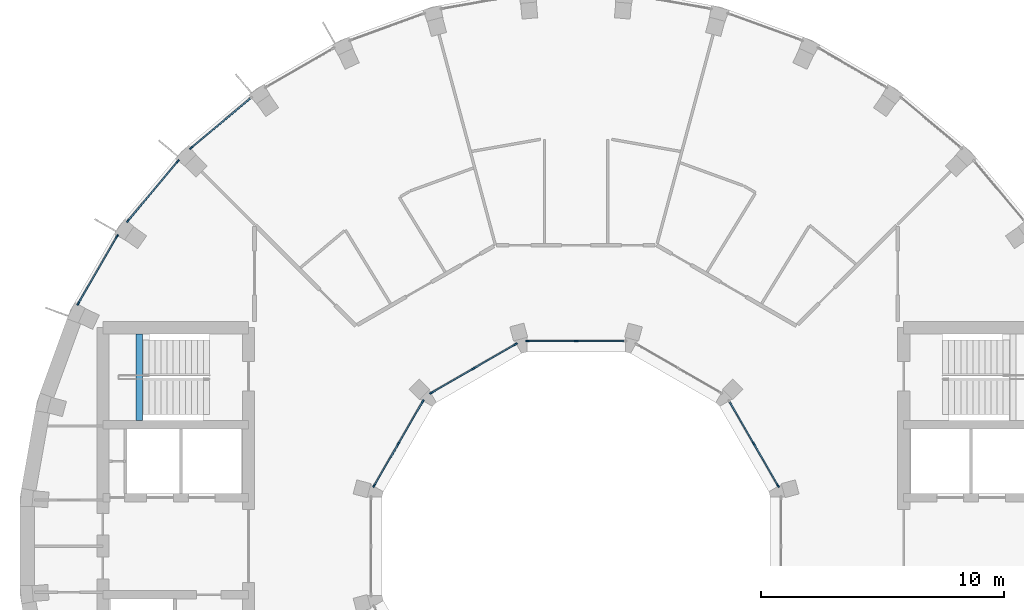
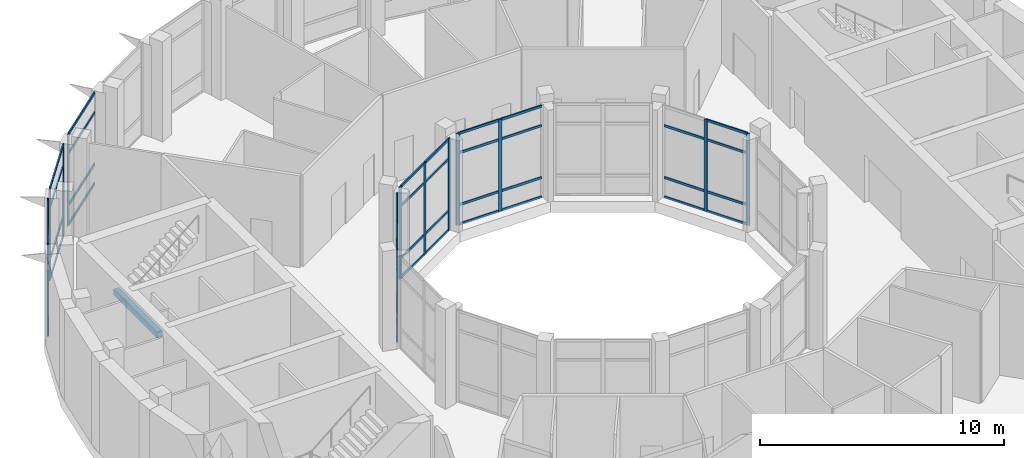
# One storey, part 7 of 19: 58 members, 1 beam, 7 elements without a shape of their own.
"""IFC4 building model written with IfcOpenShell, lengths in metres."""

from ifc_helpers import new_model, si_unit, direction, frame, origin, origin_2d, place, context, subcontext, project, spatial, rectangle, extrude, material, layer, layer_set, material_profile, profile_set, type_object, element, aggregate, save


model = new_model("IFC4")

# Units and contexts
model_context = context("Model", 3, precision=1e-05, world=origin(), true_north=direction((0.0, 1.0)))
body_context = subcontext(model_context, "Body", "Model", "MODEL_VIEW")
ifc_project = project(units=[si_unit("LENGTHUNIT", "METRE"), si_unit("AREAUNIT", "SQUARE_METRE"), si_unit("VOLUMEUNIT", "CUBIC_METRE"), si_unit("PLANEANGLEUNIT", "RADIAN"), si_unit("MASSUNIT", "GRAM", prefix="KILO")], contexts=[model_context])

# Site, building, storey
site_placement = place(None, origin())
site = spatial("IfcSite", under=ifc_project, at=site_placement, CompositionType="ELEMENT")
building_placement = place(site_placement, origin())
building = spatial("IfcBuilding", under=site, at=building_placement, Name="Saqina Gate Tower", CompositionType="ELEMENT")
storey_placement = place(building_placement, frame((0.0, 0.0, 224.699951171875)))
storey = spatial("IfcBuildingStorey", under=building, at=storey_placement, Name="L64", CompositionType="ELEMENT", Elevation=224.699951171875)

# Curtain wall, member
ifc_material_1 = material(Name="Aluminium glazing", Category="aluminium")
ifc_layer_1 = layer(ifc_material_1, 0.159912109375)
ifc_layer_set_1 = layer_set([ifc_layer_1], Name="CWT-2")
curtain_wall_type_1 = type_object("IfcCurtainWallType", Name="CWT-2", PredefinedType="NOTDEFINED", material=ifc_layer_set_1)
curtain_wall_1_placement = place(storey_placement, origin())
curtain_wall_1 = element("IfcCurtainWall", 1, at=curtain_wall_1_placement, inside=storey, type_object=curtain_wall_type_1, Name="Sky lounge glazing facet 13", PredefinedType="NOTDEFINED")
ifc_material_2 = material(Name="Aluminium", Category="aluminium")
ifc_material_profile_1 = material_profile(ifc_material_2, rectangle(XDim=0.06005859375, YDim=0.159912109375, at=origin_2d()), Name="Aluminium 60x160")
ifc_profile_set_1 = profile_set([ifc_material_profile_1], Name="Aluminium")
member_type_1 = type_object("IfcMemberType", Name="CWT-2M", PredefinedType="MULLION", material=ifc_profile_set_1)
member_1_placement = place(storey_placement, frame((-15.85400390625, 16.411376953125, 0.0), z_axis=(0.0, 0.0, 1.0), x_axis=(0.642785214609, -0.766046452821, 0.0)))
member_1 = element("IfcMember", 2, at=member_1_placement, type_object=member_type_1, Name="CW2-13 mullion 2", PredefinedType="MULLION", context=body_context, shape_type="SweptSolid", body=[
    extrude(rectangle(XDim=0.06005859375, YDim=0.159912109375, at=origin_2d()), origin(), (0.0, 0.0, 1.0), 4.60009765625),
])

# Curtain wall, members
curtain_wall_2_placement = place(storey_placement, origin())
curtain_wall_2 = element("IfcCurtainWall", 3, at=curtain_wall_2_placement, inside=storey, type_object=curtain_wall_type_1, Name="Sky lounge glazing facet 14", PredefinedType="NOTDEFINED")
member_2_placement = place(storey_placement, frame((-16.411376953125, 15.85400390625, 0.0), z_axis=(0.0, 0.0, 1.0), x_axis=(0.766046452821, -0.642785214609, 0.0)))
member_2 = element("IfcMember", 4, at=member_2_placement, type_object=member_type_1, Name="CW2-14 mullion 1", PredefinedType="MULLION", context=body_context, shape_type="SweptSolid", body=[
    extrude(rectangle(XDim=0.06005859375, YDim=0.159912109375, at=origin_2d()), origin(), (0.0, 0.0, 1.0), 4.60009765625),
])
member_3_placement = place(storey_placement, frame((-18.462890625, 13.408935546875, 0.0), z_axis=(0.0, 0.0, 1.0), x_axis=(0.766046452821, -0.642785214609, 0.0)))
member_3 = element("IfcMember", 5, at=member_3_placement, type_object=member_type_1, Name="CW2-14 mullion 2", PredefinedType="MULLION", context=body_context, shape_type="SweptSolid", body=[
    extrude(rectangle(XDim=0.06005859375, YDim=0.159912109375, at=origin_2d()), origin(), (0.0, 0.0, 1.0), 4.60009765625),
])

curtain_wall_3_placement = place(storey_placement, origin())
curtain_wall_3 = element("IfcCurtainWall", 6, at=curtain_wall_3_placement, inside=storey, type_object=curtain_wall_type_1, Name="Sky lounge glazing facet 15", PredefinedType="NOTDEFINED")
member_4_placement = place(storey_placement, frame((-18.9150390625, 12.763427734375, 0.0), z_axis=(0.0, 0.0, 1.0), x_axis=(0.8660355365, -0.499982449212, 0.0)))
member_4 = element("IfcMember", 7, at=member_4_placement, type_object=member_type_1, Name="CW2-15 mullion 1", PredefinedType="MULLION", context=body_context, shape_type="SweptSolid", body=[
    extrude(rectangle(XDim=0.06005859375, YDim=0.159912109375, at=origin_2d()), origin(), (0.0, 0.0, 1.0), 4.60009765625),
])
member_5_placement = place(storey_placement, frame((-20.5107421875, 9.999267578125, 0.0), z_axis=(0.0, 0.0, 1.0), x_axis=(0.8660355365, -0.499982449212, 0.0)))
member_5 = element("IfcMember", 8, at=member_5_placement, type_object=member_type_1, Name="CW2-15 mullion 2", PredefinedType="MULLION", context=body_context, shape_type="SweptSolid", body=[
    extrude(rectangle(XDim=0.06005859375, YDim=0.159912109375, at=origin_2d()), origin(), (0.0, 0.0, 1.0), 4.60009765625),
])

# Member
ifc_material_3 = material(Name="Aluminium", Category="aluminium")
ifc_material_profile_2 = material_profile(ifc_material_3, rectangle(XDim=0.06005859375, YDim=0.1201171875, at=origin_2d()), Name="Aluminium 60x120")
ifc_profile_set_2 = profile_set([ifc_material_profile_2], Name="Aluminium")
member_type_2 = type_object("IfcMemberType", Name="CWT-2T", PredefinedType="USERDEFINED", material=ifc_profile_set_2)
member_6_placement = place(storey_placement, frame((-13.431884765625, 18.443603515625, 0.030029296875), z_axis=(-0.766076382206, -0.642749544244, 0.0), x_axis=(0.642749544244, -0.766076382206, 0.0)))
member_6 = element("IfcMember", 9, at=member_6_placement, type_object=member_type_2, Name="CW2-13 transom 1.1", ObjectType="TRANSOM", PredefinedType="USERDEFINED", context=body_context, shape_type="SweptSolid", body=[
    extrude(rectangle(XDim=0.06005859375, YDim=0.1201171875, at=origin_2d()), origin(), (0.0, 0.0, 1.0), 3.1318359375),
])

member_7_placement = place(storey_placement, frame((-13.431884765625, 18.443603515625, 1.0), z_axis=(-0.766076382206, -0.642749544244, 0.0), x_axis=(0.642749544244, -0.766076382206, 0.0)))
member_7 = element("IfcMember", 10, at=member_7_placement, type_object=member_type_2, Name="CW2-13 transom 1.2", ObjectType="TRANSOM", PredefinedType="USERDEFINED", context=body_context, shape_type="SweptSolid", body=[
    extrude(rectangle(XDim=0.06005859375, YDim=0.1201171875, at=origin_2d()), origin(), (0.0, 0.0, 1.0), 3.1318359375),
])

member_8_placement = place(storey_placement, frame((-13.431884765625, 18.443603515625, 3.60009765625), z_axis=(-0.766076382206, -0.642749544244, 0.0), x_axis=(0.642749544244, -0.766076382206, 0.0)))
member_8 = element("IfcMember", 11, at=member_8_placement, type_object=member_type_2, Name="CW2-13 transom 1.3", ObjectType="TRANSOM", PredefinedType="USERDEFINED", context=body_context, shape_type="SweptSolid", body=[
    extrude(rectangle(XDim=0.06005859375, YDim=0.1201171875, at=origin_2d()), origin(), (0.0, 0.0, 1.0), 3.1318359375),
])

member_9_placement = place(storey_placement, frame((-13.431884765625, 18.443603515625, 4.570068359375), z_axis=(-0.766076382206, -0.642749544244, 0.0), x_axis=(0.642749544244, -0.766076382206, 0.0)))
member_9 = element("IfcMember", 12, at=member_9_placement, type_object=member_type_2, Name="CW2-13 transom 1.4", ObjectType="TRANSOM", PredefinedType="USERDEFINED", context=body_context, shape_type="SweptSolid", body=[
    extrude(rectangle(XDim=0.06005859375, YDim=0.1201171875, at=origin_2d()), origin(), (0.0, 0.0, 1.0), 3.1318359375),
])

aggregate(curtain_wall_1, [member_1, member_6, member_7, member_8, member_9])

member_10_placement = place(storey_placement, frame((-16.4306640625, 15.8310546875, 0.030029296875), z_axis=(-0.642749544244, -0.766076382206, 0.0), x_axis=(0.766076382206, -0.642749544244, 0.0)))
member_10 = element("IfcMember", 13, at=member_10_placement, type_object=member_type_2, Name="CW2-14 transom 1.1", ObjectType="TRANSOM", PredefinedType="USERDEFINED", context=body_context, shape_type="SweptSolid", body=[
    extrude(rectangle(XDim=0.06005859375, YDim=0.1201171875, at=origin_2d()), origin(), (0.0, 0.0, 1.0), 3.1318359375),
])

member_11_placement = place(storey_placement, frame((-16.4306640625, 15.8310546875, 1.0), z_axis=(-0.642749544244, -0.766076382206, 0.0), x_axis=(0.766076382206, -0.642749544244, 0.0)))
member_11 = element("IfcMember", 14, at=member_11_placement, type_object=member_type_2, Name="CW2-14 transom 1.2", ObjectType="TRANSOM", PredefinedType="USERDEFINED", context=body_context, shape_type="SweptSolid", body=[
    extrude(rectangle(XDim=0.06005859375, YDim=0.1201171875, at=origin_2d()), origin(), (0.0, 0.0, 1.0), 3.1318359375),
])

member_12_placement = place(storey_placement, frame((-16.4306640625, 15.8310546875, 3.60009765625), z_axis=(-0.642749544244, -0.766076382206, 0.0), x_axis=(0.766076382206, -0.642749544244, 0.0)))
member_12 = element("IfcMember", 15, at=member_12_placement, type_object=member_type_2, Name="CW2-14 transom 1.3", ObjectType="TRANSOM", PredefinedType="USERDEFINED", context=body_context, shape_type="SweptSolid", body=[
    extrude(rectangle(XDim=0.06005859375, YDim=0.1201171875, at=origin_2d()), origin(), (0.0, 0.0, 1.0), 3.1318359375),
])

member_13_placement = place(storey_placement, frame((-16.4306640625, 15.8310546875, 4.570068359375), z_axis=(-0.642749544244, -0.766076382206, 0.0), x_axis=(0.766076382206, -0.642749544244, 0.0)))
member_13 = element("IfcMember", 16, at=member_13_placement, type_object=member_type_2, Name="CW2-14 transom 1.4", ObjectType="TRANSOM", PredefinedType="USERDEFINED", context=body_context, shape_type="SweptSolid", body=[
    extrude(rectangle(XDim=0.06005859375, YDim=0.1201171875, at=origin_2d()), origin(), (0.0, 0.0, 1.0), 3.1318359375),
])

aggregate(curtain_wall_2, [member_2, member_3, member_10, member_11, member_12, member_13])

member_14_placement = place(storey_placement, frame((-18.929931640625, 12.7373046875, 0.030029296875), z_axis=(-0.50001262068, -0.866018117109, 0.0), x_axis=(0.866018117109, -0.50001262068, 0.0)))
member_14 = element("IfcMember", 17, at=member_14_placement, type_object=member_type_2, Name="CW2-15 transom 1.1", ObjectType="TRANSOM", PredefinedType="USERDEFINED", context=body_context, shape_type="SweptSolid", body=[
    extrude(rectangle(XDim=0.06005859375, YDim=0.1201171875, at=origin_2d()), origin(), (0.0, 0.0, 1.0), 3.1318359375),
])

member_15_placement = place(storey_placement, frame((-18.929931640625, 12.7373046875, 1.0), z_axis=(-0.50001262068, -0.866018117109, 0.0), x_axis=(0.866018117109, -0.50001262068, 0.0)))
member_15 = element("IfcMember", 18, at=member_15_placement, type_object=member_type_2, Name="CW2-15 transom 1.2", ObjectType="TRANSOM", PredefinedType="USERDEFINED", context=body_context, shape_type="SweptSolid", body=[
    extrude(rectangle(XDim=0.06005859375, YDim=0.1201171875, at=origin_2d()), origin(), (0.0, 0.0, 1.0), 3.1318359375),
])

member_16_placement = place(storey_placement, frame((-18.929931640625, 12.7373046875, 3.60009765625), z_axis=(-0.50001262068, -0.866018117109, 0.0), x_axis=(0.866018117109, -0.50001262068, 0.0)))
member_16 = element("IfcMember", 19, at=member_16_placement, type_object=member_type_2, Name="CW2-15 transom 1.3", ObjectType="TRANSOM", PredefinedType="USERDEFINED", context=body_context, shape_type="SweptSolid", body=[
    extrude(rectangle(XDim=0.06005859375, YDim=0.1201171875, at=origin_2d()), origin(), (0.0, 0.0, 1.0), 3.1318359375),
])

member_17_placement = place(storey_placement, frame((-18.929931640625, 12.7373046875, 4.570068359375), z_axis=(-0.50001262068, -0.866018117109, 0.0), x_axis=(0.866018117109, -0.50001262068, 0.0)))
member_17 = element("IfcMember", 20, at=member_17_placement, type_object=member_type_2, Name="CW2-15 transom 1.4", ObjectType="TRANSOM", PredefinedType="USERDEFINED", context=body_context, shape_type="SweptSolid", body=[
    extrude(rectangle(XDim=0.06005859375, YDim=0.1201171875, at=origin_2d()), origin(), (0.0, 0.0, 1.0), 3.1318359375),
])

aggregate(curtain_wall_3, [member_4, member_5, member_14, member_15, member_16, member_17])

# Curtain wall, members
ifc_material_4 = material(Name="Aluminium glazing", Category="aluminium")
ifc_layer_2 = layer(ifc_material_4, 0.159912109375)
ifc_layer_set_2 = layer_set([ifc_layer_2], Name="CWT-3")
curtain_wall_type_2 = type_object("IfcCurtainWallType", Name="CWT-3", PredefinedType="NOTDEFINED", material=ifc_layer_set_2)
curtain_wall_4_placement = place(storey_placement, origin())
curtain_wall_4 = element("IfcCurtainWall", 21, at=curtain_wall_4_placement, inside=storey, type_object=curtain_wall_type_2, Name="Sky lounge well glazing L64 facet 1", PredefinedType="NOTDEFINED")
ifc_material_5 = material(Name="Aluminium", Category="aluminium")
ifc_material_profile_3 = material_profile(ifc_material_5, rectangle(XDim=0.06005859375, YDim=0.159912109375, at=origin_2d()), Name="Aluminium 60x160")
ifc_profile_set_3 = profile_set([ifc_material_profile_3], Name="Aluminium")
member_type_3 = type_object("IfcMemberType", Name="CWT-3M", PredefinedType="MULLION", material=ifc_profile_set_3)
member_18_placement = place(storey_placement, frame((8.317626953125, 2.493408203125, 0.0), z_axis=(0.0, 0.0, 1.0), x_axis=(-0.866023931115, -0.500002550729, 0.0)))
member_18 = element("IfcMember", 22, at=member_18_placement, type_object=member_type_3, Name="CW3-01 mullion 1", PredefinedType="MULLION", context=body_context, shape_type="SweptSolid", body=[
    extrude(rectangle(XDim=0.06005859375, YDim=0.159912109375, at=origin_2d()), origin(), (0.0, 0.0, 1.0), 4.60009765625),
])
member_19_placement = place(storey_placement, frame((7.31787109375, 4.22509765625, 0.0), z_axis=(0.0, 0.0, 1.0), x_axis=(-0.866023931115, -0.500002550729, 0.0)))
member_19 = element("IfcMember", 23, at=member_19_placement, type_object=member_type_3, Name="CW3-01 mullion 2", PredefinedType="MULLION", context=body_context, shape_type="SweptSolid", body=[
    extrude(rectangle(XDim=0.06005859375, YDim=0.159912109375, at=origin_2d()), origin(), (0.0, 0.0, 1.0), 4.60009765625),
])

curtain_wall_5_placement = place(storey_placement, origin())
curtain_wall_5 = element("IfcCurtainWall", 24, at=curtain_wall_5_placement, inside=storey, type_object=curtain_wall_type_2, Name="Sky lounge well glazing L64 facet 3", PredefinedType="NOTDEFINED")
member_20_placement = place(storey_placement, frame((0.0, 8.449951171875, 0.0), z_axis=(0.0, 0.0, 1.0), x_axis=(0.0, -1.0, 0.0)))
member_20 = element("IfcMember", 25, at=member_20_placement, type_object=member_type_3, Name="CW3-03 mullion 2", PredefinedType="MULLION", context=body_context, shape_type="SweptSolid", body=[
    extrude(rectangle(XDim=0.06005859375, YDim=0.159912109375, at=origin_2d()), origin(), (0.0, 0.0, 1.0), 4.60009765625),
])
member_21_placement = place(storey_placement, frame((-1.99951171875, 8.449951171875, 0.0), z_axis=(0.0, 0.0, 1.0), x_axis=(0.0, -1.0, 0.0)))
member_21 = element("IfcMember", 26, at=member_21_placement, type_object=member_type_3, Name="CW3-03 mullion 3", PredefinedType="MULLION", context=body_context, shape_type="SweptSolid", body=[
    extrude(rectangle(XDim=0.06005859375, YDim=0.159912109375, at=origin_2d()), origin(), (0.0, 0.0, 1.0), 4.60009765625),
])

curtain_wall_6_placement = place(storey_placement, origin())
curtain_wall_6 = element("IfcCurtainWall", 27, at=curtain_wall_6_placement, inside=storey, type_object=curtain_wall_type_2, Name="Sky lounge well glazing L64 facet 4", PredefinedType="NOTDEFINED")
member_22_placement = place(storey_placement, frame((-2.493408203125, 8.317626953125, 0.0), z_axis=(0.0, 0.0, 1.0), x_axis=(0.500002550729, -0.866023931115, 0.0)))
member_22 = element("IfcMember", 28, at=member_22_placement, type_object=member_type_3, Name="CW3-04 mullion 1", PredefinedType="MULLION", context=body_context, shape_type="SweptSolid", body=[
    extrude(rectangle(XDim=0.06005859375, YDim=0.159912109375, at=origin_2d()), origin(), (0.0, 0.0, 1.0), 4.60009765625),
])
member_23_placement = place(storey_placement, frame((-4.22509765625, 7.31787109375, 0.0), z_axis=(0.0, 0.0, 1.0), x_axis=(0.500002550729, -0.866023931115, 0.0)))
member_23 = element("IfcMember", 29, at=member_23_placement, type_object=member_type_3, Name="CW3-04 mullion 2", PredefinedType="MULLION", context=body_context, shape_type="SweptSolid", body=[
    extrude(rectangle(XDim=0.06005859375, YDim=0.159912109375, at=origin_2d()), origin(), (0.0, 0.0, 1.0), 4.60009765625),
])
member_24_placement = place(storey_placement, frame((-5.95654296875, 6.318115234375, 0.0), z_axis=(0.0, 0.0, 1.0), x_axis=(0.500002550729, -0.866023931115, 0.0)))
member_24 = element("IfcMember", 30, at=member_24_placement, type_object=member_type_3, Name="CW3-04 mullion 3", PredefinedType="MULLION", context=body_context, shape_type="SweptSolid", body=[
    extrude(rectangle(XDim=0.06005859375, YDim=0.159912109375, at=origin_2d()), origin(), (0.0, 0.0, 1.0), 4.60009765625),
])

curtain_wall_7_placement = place(storey_placement, origin())
curtain_wall_7 = element("IfcCurtainWall", 31, at=curtain_wall_7_placement, inside=storey, type_object=curtain_wall_type_2, Name="Sky lounge well glazing L64 facet 5", PredefinedType="NOTDEFINED")
member_25_placement = place(storey_placement, frame((-6.318115234375, 5.95654296875, 0.0), z_axis=(0.0, 0.0, 1.0), x_axis=(0.866023931115, -0.500002550729, 0.0)))
member_25 = element("IfcMember", 32, at=member_25_placement, type_object=member_type_3, Name="CW3-05 mullion 1", PredefinedType="MULLION", context=body_context, shape_type="SweptSolid", body=[
    extrude(rectangle(XDim=0.06005859375, YDim=0.159912109375, at=origin_2d()), origin(), (0.0, 0.0, 1.0), 4.60009765625),
])
member_26_placement = place(storey_placement, frame((-7.31787109375, 4.22509765625, 0.0), z_axis=(0.0, 0.0, 1.0), x_axis=(0.866023931115, -0.500002550729, 0.0)))
member_26 = element("IfcMember", 33, at=member_26_placement, type_object=member_type_3, Name="CW3-05 mullion 2", PredefinedType="MULLION", context=body_context, shape_type="SweptSolid", body=[
    extrude(rectangle(XDim=0.06005859375, YDim=0.159912109375, at=origin_2d()), origin(), (0.0, 0.0, 1.0), 4.60009765625),
])
member_27_placement = place(storey_placement, frame((-8.317626953125, 2.493408203125, 0.0), z_axis=(0.0, 0.0, 1.0), x_axis=(0.866023931115, -0.500002550729, 0.0)))
member_27 = element("IfcMember", 34, at=member_27_placement, type_object=member_type_3, Name="CW3-05 mullion 3", PredefinedType="MULLION", context=body_context, shape_type="SweptSolid", body=[
    extrude(rectangle(XDim=0.06005859375, YDim=0.159912109375, at=origin_2d()), origin(), (0.0, 0.0, 1.0), 4.60009765625),
])

# Member
ifc_material_6 = material(Name="Aluminium", Category="aluminium")
ifc_material_profile_4 = material_profile(ifc_material_6, rectangle(XDim=0.06005859375, YDim=0.1201171875, at=origin_2d()), Name="Aluminium 60x120")
ifc_profile_set_4 = profile_set([ifc_material_profile_4], Name="Aluminium")
member_type_4 = type_object("IfcMemberType", Name="CWT-3T", PredefinedType="USERDEFINED", material=ifc_profile_set_4)
member_28_placement = place(storey_placement, frame((8.302490234375, 2.51953125, 0.030029296875), z_axis=(-0.499944052521, 0.866057702667, 0.0), x_axis=(-0.866057702667, -0.499944052521, 0.0)))
member_28 = element("IfcMember", 35, at=member_28_placement, type_object=member_type_4, Name="CW3-01 transom 1.1", ObjectType="TRANSOM", PredefinedType="USERDEFINED", context=body_context, shape_type="SweptSolid", body=[
    extrude(rectangle(XDim=0.06005859375, YDim=0.1201171875, at=origin_2d()), origin(), (0.0, 0.0, 1.0), 1.939208984375),
])

member_29_placement = place(storey_placement, frame((8.302490234375, 2.51953125, 1.0), z_axis=(-0.499944052521, 0.866057702667, 0.0), x_axis=(-0.866057702667, -0.499944052521, 0.0)))
member_29 = element("IfcMember", 36, at=member_29_placement, type_object=member_type_4, Name="CW3-01 transom 1.2", ObjectType="TRANSOM", PredefinedType="USERDEFINED", context=body_context, shape_type="SweptSolid", body=[
    extrude(rectangle(XDim=0.06005859375, YDim=0.1201171875, at=origin_2d()), origin(), (0.0, 0.0, 1.0), 1.939208984375),
])

member_30_placement = place(storey_placement, frame((8.302490234375, 2.51953125, 3.60009765625), z_axis=(-0.499944052521, 0.866057702667, 0.0), x_axis=(-0.866057702667, -0.499944052521, 0.0)))
member_30 = element("IfcMember", 37, at=member_30_placement, type_object=member_type_4, Name="CW3-01 transom 1.3", ObjectType="TRANSOM", PredefinedType="USERDEFINED", context=body_context, shape_type="SweptSolid", body=[
    extrude(rectangle(XDim=0.06005859375, YDim=0.1201171875, at=origin_2d()), origin(), (0.0, 0.0, 1.0), 1.939208984375),
])

member_31_placement = place(storey_placement, frame((8.302490234375, 2.51953125, 4.570068359375), z_axis=(-0.499944052521, 0.866057702667, 0.0), x_axis=(-0.866057702667, -0.499944052521, 0.0)))
member_31 = element("IfcMember", 38, at=member_31_placement, type_object=member_type_4, Name="CW3-01 transom 1.4", ObjectType="TRANSOM", PredefinedType="USERDEFINED", context=body_context, shape_type="SweptSolid", body=[
    extrude(rectangle(XDim=0.06005859375, YDim=0.1201171875, at=origin_2d()), origin(), (0.0, 0.0, 1.0), 1.939208984375),
])

member_32_placement = place(storey_placement, frame((7.302978515625, 4.2509765625, 0.030029296875), z_axis=(-0.500038474733, 0.866003189247, 0.0), x_axis=(-0.866003189247, -0.500038474733, 0.0)))
member_32 = element("IfcMember", 39, at=member_32_placement, type_object=member_type_4, Name="CW3-01 transom 2.1", ObjectType="TRANSOM", PredefinedType="USERDEFINED", context=body_context, shape_type="SweptSolid", body=[
    extrude(rectangle(XDim=0.06005859375, YDim=0.1201171875, at=origin_2d()), origin(), (0.0, 0.0, 1.0), 1.939208984375),
])

member_33_placement = place(storey_placement, frame((7.302978515625, 4.2509765625, 1.0), z_axis=(-0.500038474733, 0.866003189247, 0.0), x_axis=(-0.866003189247, -0.500038474733, 0.0)))
member_33 = element("IfcMember", 40, at=member_33_placement, type_object=member_type_4, Name="CW3-01 transom 2.2", ObjectType="TRANSOM", PredefinedType="USERDEFINED", context=body_context, shape_type="SweptSolid", body=[
    extrude(rectangle(XDim=0.06005859375, YDim=0.1201171875, at=origin_2d()), origin(), (0.0, 0.0, 1.0), 1.939208984375),
])

member_34_placement = place(storey_placement, frame((7.302978515625, 4.2509765625, 3.60009765625), z_axis=(-0.500038474733, 0.866003189247, 0.0), x_axis=(-0.866003189247, -0.500038474733, 0.0)))
member_34 = element("IfcMember", 41, at=member_34_placement, type_object=member_type_4, Name="CW3-01 transom 2.3", ObjectType="TRANSOM", PredefinedType="USERDEFINED", context=body_context, shape_type="SweptSolid", body=[
    extrude(rectangle(XDim=0.06005859375, YDim=0.1201171875, at=origin_2d()), origin(), (0.0, 0.0, 1.0), 1.939208984375),
])

aggregate(curtain_wall_4, [member_18, member_19, member_28, member_29, member_30, member_31, member_32, member_33, member_34])

member_35_placement = place(storey_placement, frame((1.969482421875, 8.449951171875, 0.030029296875), z_axis=(-1.0, 0.0, 0.0), x_axis=(0.0, -1.0, 0.0)))
member_35 = element("IfcMember", 42, at=member_35_placement, type_object=member_type_4, Name="CW3-03 transom 1.1", ObjectType="TRANSOM", PredefinedType="USERDEFINED", context=body_context, shape_type="SweptSolid", body=[
    extrude(rectangle(XDim=0.06005859375, YDim=0.1201171875, at=origin_2d()), origin(), (0.0, 0.0, 1.0), 1.939453125),
])

member_36_placement = place(storey_placement, frame((1.969482421875, 8.449951171875, 1.0), z_axis=(-1.0, 0.0, 0.0), x_axis=(0.0, -1.0, 0.0)))
member_36 = element("IfcMember", 43, at=member_36_placement, type_object=member_type_4, Name="CW3-03 transom 1.2", ObjectType="TRANSOM", PredefinedType="USERDEFINED", context=body_context, shape_type="SweptSolid", body=[
    extrude(rectangle(XDim=0.06005859375, YDim=0.1201171875, at=origin_2d()), origin(), (0.0, 0.0, 1.0), 1.939453125),
])

member_37_placement = place(storey_placement, frame((1.969482421875, 8.449951171875, 3.60009765625), z_axis=(-1.0, 0.0, 0.0), x_axis=(0.0, -1.0, 0.0)))
member_37 = element("IfcMember", 44, at=member_37_placement, type_object=member_type_4, Name="CW3-03 transom 1.3", ObjectType="TRANSOM", PredefinedType="USERDEFINED", context=body_context, shape_type="SweptSolid", body=[
    extrude(rectangle(XDim=0.06005859375, YDim=0.1201171875, at=origin_2d()), origin(), (0.0, 0.0, 1.0), 1.939453125),
])

member_38_placement = place(storey_placement, frame((1.969482421875, 8.449951171875, 4.570068359375), z_axis=(-1.0, 0.0, 0.0), x_axis=(0.0, -1.0, 0.0)))
member_38 = element("IfcMember", 45, at=member_38_placement, type_object=member_type_4, Name="CW3-03 transom 1.4", ObjectType="TRANSOM", PredefinedType="USERDEFINED", context=body_context, shape_type="SweptSolid", body=[
    extrude(rectangle(XDim=0.06005859375, YDim=0.1201171875, at=origin_2d()), origin(), (0.0, 0.0, 1.0), 1.939453125),
])

member_39_placement = place(storey_placement, frame((-0.030029296875, 8.449951171875, 0.030029296875), z_axis=(-1.0, 0.0, 0.0), x_axis=(0.0, -1.0, 0.0)))
member_39 = element("IfcMember", 46, at=member_39_placement, type_object=member_type_4, Name="CW3-03 transom 2.1", ObjectType="TRANSOM", PredefinedType="USERDEFINED", context=body_context, shape_type="SweptSolid", body=[
    extrude(rectangle(XDim=0.06005859375, YDim=0.1201171875, at=origin_2d()), origin(), (0.0, 0.0, 1.0), 1.939453125),
])

member_40_placement = place(storey_placement, frame((-0.030029296875, 8.449951171875, 1.0), z_axis=(-1.0, 0.0, 0.0), x_axis=(0.0, -1.0, 0.0)))
member_40 = element("IfcMember", 47, at=member_40_placement, type_object=member_type_4, Name="CW3-03 transom 2.2", ObjectType="TRANSOM", PredefinedType="USERDEFINED", context=body_context, shape_type="SweptSolid", body=[
    extrude(rectangle(XDim=0.06005859375, YDim=0.1201171875, at=origin_2d()), origin(), (0.0, 0.0, 1.0), 1.939453125),
])

member_41_placement = place(storey_placement, frame((-0.030029296875, 8.449951171875, 3.60009765625), z_axis=(-1.0, 0.0, 0.0), x_axis=(0.0, -1.0, 0.0)))
member_41 = element("IfcMember", 48, at=member_41_placement, type_object=member_type_4, Name="CW3-03 transom 2.3", ObjectType="TRANSOM", PredefinedType="USERDEFINED", context=body_context, shape_type="SweptSolid", body=[
    extrude(rectangle(XDim=0.06005859375, YDim=0.1201171875, at=origin_2d()), origin(), (0.0, 0.0, 1.0), 1.939453125),
])

member_42_placement = place(storey_placement, frame((-0.030029296875, 8.449951171875, 4.570068359375), z_axis=(-1.0, 0.0, 0.0), x_axis=(0.0, -1.0, 0.0)))
member_42 = element("IfcMember", 49, at=member_42_placement, type_object=member_type_4, Name="CW3-03 transom 2.4", ObjectType="TRANSOM", PredefinedType="USERDEFINED", context=body_context, shape_type="SweptSolid", body=[
    extrude(rectangle(XDim=0.06005859375, YDim=0.1201171875, at=origin_2d()), origin(), (0.0, 0.0, 1.0), 1.939453125),
])

aggregate(curtain_wall_5, [member_20, member_21, member_35, member_36, member_37, member_38, member_39, member_40, member_41, member_42])

member_43_placement = place(storey_placement, frame((-2.51953125, 8.302490234375, 0.030029296875), z_axis=(-0.866057702667, -0.499944052521, 0.0), x_axis=(0.499944052521, -0.866057702667, 0.0)))
member_43 = element("IfcMember", 50, at=member_43_placement, type_object=member_type_4, Name="CW3-04 transom 1.1", ObjectType="TRANSOM", PredefinedType="USERDEFINED", context=body_context, shape_type="SweptSolid", body=[
    extrude(rectangle(XDim=0.06005859375, YDim=0.1201171875, at=origin_2d()), origin(), (0.0, 0.0, 1.0), 1.939208984375),
])

member_44_placement = place(storey_placement, frame((-2.51953125, 8.302490234375, 1.0), z_axis=(-0.866057702667, -0.499944052521, 0.0), x_axis=(0.499944052521, -0.866057702667, 0.0)))
member_44 = element("IfcMember", 51, at=member_44_placement, type_object=member_type_4, Name="CW3-04 transom 1.2", ObjectType="TRANSOM", PredefinedType="USERDEFINED", context=body_context, shape_type="SweptSolid", body=[
    extrude(rectangle(XDim=0.06005859375, YDim=0.1201171875, at=origin_2d()), origin(), (0.0, 0.0, 1.0), 1.939208984375),
])

member_45_placement = place(storey_placement, frame((-2.51953125, 8.302490234375, 3.60009765625), z_axis=(-0.866057702667, -0.499944052521, 0.0), x_axis=(0.499944052521, -0.866057702667, 0.0)))
member_45 = element("IfcMember", 52, at=member_45_placement, type_object=member_type_4, Name="CW3-04 transom 1.3", ObjectType="TRANSOM", PredefinedType="USERDEFINED", context=body_context, shape_type="SweptSolid", body=[
    extrude(rectangle(XDim=0.06005859375, YDim=0.1201171875, at=origin_2d()), origin(), (0.0, 0.0, 1.0), 1.939208984375),
])

member_46_placement = place(storey_placement, frame((-2.51953125, 8.302490234375, 4.570068359375), z_axis=(-0.866057702667, -0.499944052521, 0.0), x_axis=(0.499944052521, -0.866057702667, 0.0)))
member_46 = element("IfcMember", 53, at=member_46_placement, type_object=member_type_4, Name="CW3-04 transom 1.4", ObjectType="TRANSOM", PredefinedType="USERDEFINED", context=body_context, shape_type="SweptSolid", body=[
    extrude(rectangle(XDim=0.06005859375, YDim=0.1201171875, at=origin_2d()), origin(), (0.0, 0.0, 1.0), 1.939208984375),
])

member_47_placement = place(storey_placement, frame((-4.2509765625, 7.302978515625, 0.030029296875), z_axis=(-0.866003189247, -0.500038474733, 0.0), x_axis=(0.500038474733, -0.866003189247, 0.0)))
member_47 = element("IfcMember", 54, at=member_47_placement, type_object=member_type_4, Name="CW3-04 transom 2.1", ObjectType="TRANSOM", PredefinedType="USERDEFINED", context=body_context, shape_type="SweptSolid", body=[
    extrude(rectangle(XDim=0.06005859375, YDim=0.1201171875, at=origin_2d()), origin(), (0.0, 0.0, 1.0), 1.939208984375),
])

member_48_placement = place(storey_placement, frame((-4.2509765625, 7.302978515625, 1.0), z_axis=(-0.866003189247, -0.500038474733, 0.0), x_axis=(0.500038474733, -0.866003189247, 0.0)))
member_48 = element("IfcMember", 55, at=member_48_placement, type_object=member_type_4, Name="CW3-04 transom 2.2", ObjectType="TRANSOM", PredefinedType="USERDEFINED", context=body_context, shape_type="SweptSolid", body=[
    extrude(rectangle(XDim=0.06005859375, YDim=0.1201171875, at=origin_2d()), origin(), (0.0, 0.0, 1.0), 1.939208984375),
])

member_49_placement = place(storey_placement, frame((-4.2509765625, 7.302978515625, 3.60009765625), z_axis=(-0.866003189247, -0.500038474733, 0.0), x_axis=(0.500038474733, -0.866003189247, 0.0)))
member_49 = element("IfcMember", 56, at=member_49_placement, type_object=member_type_4, Name="CW3-04 transom 2.3", ObjectType="TRANSOM", PredefinedType="USERDEFINED", context=body_context, shape_type="SweptSolid", body=[
    extrude(rectangle(XDim=0.06005859375, YDim=0.1201171875, at=origin_2d()), origin(), (0.0, 0.0, 1.0), 1.939208984375),
])

member_50_placement = place(storey_placement, frame((-4.2509765625, 7.302978515625, 4.570068359375), z_axis=(-0.866003189247, -0.500038474733, 0.0), x_axis=(0.500038474733, -0.866003189247, 0.0)))
member_50 = element("IfcMember", 57, at=member_50_placement, type_object=member_type_4, Name="CW3-04 transom 2.4", ObjectType="TRANSOM", PredefinedType="USERDEFINED", context=body_context, shape_type="SweptSolid", body=[
    extrude(rectangle(XDim=0.06005859375, YDim=0.1201171875, at=origin_2d()), origin(), (0.0, 0.0, 1.0), 1.939208984375),
])

aggregate(curtain_wall_6, [member_22, member_23, member_24, member_43, member_44, member_45, member_46, member_47, member_48, member_49, member_50])

member_51_placement = place(storey_placement, frame((-6.333251953125, 5.930419921875, 0.030029296875), z_axis=(-0.500038474733, -0.866003189247, 0.0), x_axis=(0.866003189247, -0.500038474733, 0.0)))
member_51 = element("IfcMember", 58, at=member_51_placement, type_object=member_type_4, Name="CW3-05 transom 1.1", ObjectType="TRANSOM", PredefinedType="USERDEFINED", context=body_context, shape_type="SweptSolid", body=[
    extrude(rectangle(XDim=0.06005859375, YDim=0.1201171875, at=origin_2d()), origin(), (0.0, 0.0, 1.0), 1.939208984375),
])

member_52_placement = place(storey_placement, frame((-6.333251953125, 5.930419921875, 1.0), z_axis=(-0.500038474733, -0.866003189247, 0.0), x_axis=(0.866003189247, -0.500038474733, 0.0)))
member_52 = element("IfcMember", 59, at=member_52_placement, type_object=member_type_4, Name="CW3-05 transom 1.2", ObjectType="TRANSOM", PredefinedType="USERDEFINED", context=body_context, shape_type="SweptSolid", body=[
    extrude(rectangle(XDim=0.06005859375, YDim=0.1201171875, at=origin_2d()), origin(), (0.0, 0.0, 1.0), 1.939208984375),
])

member_53_placement = place(storey_placement, frame((-6.333251953125, 5.930419921875, 3.60009765625), z_axis=(-0.500038474733, -0.866003189247, 0.0), x_axis=(0.866003189247, -0.500038474733, 0.0)))
member_53 = element("IfcMember", 60, at=member_53_placement, type_object=member_type_4, Name="CW3-05 transom 1.3", ObjectType="TRANSOM", PredefinedType="USERDEFINED", context=body_context, shape_type="SweptSolid", body=[
    extrude(rectangle(XDim=0.06005859375, YDim=0.1201171875, at=origin_2d()), origin(), (0.0, 0.0, 1.0), 1.939208984375),
])

member_54_placement = place(storey_placement, frame((-6.333251953125, 5.930419921875, 4.570068359375), z_axis=(-0.500038474733, -0.866003189247, 0.0), x_axis=(0.866003189247, -0.500038474733, 0.0)))
member_54 = element("IfcMember", 61, at=member_54_placement, type_object=member_type_4, Name="CW3-05 transom 1.4", ObjectType="TRANSOM", PredefinedType="USERDEFINED", context=body_context, shape_type="SweptSolid", body=[
    extrude(rectangle(XDim=0.06005859375, YDim=0.1201171875, at=origin_2d()), origin(), (0.0, 0.0, 1.0), 1.939208984375),
])

member_55_placement = place(storey_placement, frame((-7.3330078125, 4.198974609375, 0.030029296875), z_axis=(-0.499944052521, -0.866057702667, 0.0), x_axis=(0.866057702667, -0.499944052521, 0.0)))
member_55 = element("IfcMember", 62, at=member_55_placement, type_object=member_type_4, Name="CW3-05 transom 2.1", ObjectType="TRANSOM", PredefinedType="USERDEFINED", context=body_context, shape_type="SweptSolid", body=[
    extrude(rectangle(XDim=0.06005859375, YDim=0.1201171875, at=origin_2d()), origin(), (0.0, 0.0, 1.0), 1.939208984375),
])

member_56_placement = place(storey_placement, frame((-7.3330078125, 4.198974609375, 1.0), z_axis=(-0.499944052521, -0.866057702667, 0.0), x_axis=(0.866057702667, -0.499944052521, 0.0)))
member_56 = element("IfcMember", 63, at=member_56_placement, type_object=member_type_4, Name="CW3-05 transom 2.2", ObjectType="TRANSOM", PredefinedType="USERDEFINED", context=body_context, shape_type="SweptSolid", body=[
    extrude(rectangle(XDim=0.06005859375, YDim=0.1201171875, at=origin_2d()), origin(), (0.0, 0.0, 1.0), 1.939208984375),
])

member_57_placement = place(storey_placement, frame((-7.3330078125, 4.198974609375, 3.60009765625), z_axis=(-0.499944052521, -0.866057702667, 0.0), x_axis=(0.866057702667, -0.499944052521, 0.0)))
member_57 = element("IfcMember", 64, at=member_57_placement, type_object=member_type_4, Name="CW3-05 transom 2.3", ObjectType="TRANSOM", PredefinedType="USERDEFINED", context=body_context, shape_type="SweptSolid", body=[
    extrude(rectangle(XDim=0.06005859375, YDim=0.1201171875, at=origin_2d()), origin(), (0.0, 0.0, 1.0), 1.939208984375),
])

member_58_placement = place(storey_placement, frame((-7.3330078125, 4.198974609375, 4.570068359375), z_axis=(-0.499944052521, -0.866057702667, 0.0), x_axis=(0.866057702667, -0.499944052521, 0.0)))
member_58 = element("IfcMember", 65, at=member_58_placement, type_object=member_type_4, Name="CW3-05 transom 2.4", ObjectType="TRANSOM", PredefinedType="USERDEFINED", context=body_context, shape_type="SweptSolid", body=[
    extrude(rectangle(XDim=0.06005859375, YDim=0.1201171875, at=origin_2d()), origin(), (0.0, 0.0, 1.0), 1.939208984375),
])

aggregate(curtain_wall_7, [member_25, member_26, member_27, member_51, member_52, member_53, member_54, member_55, member_56, member_57, member_58])

# Beam
ifc_material_7 = material(Name="Concrete C40/50", Category="concrete")
ifc_material_profile_5 = material_profile(ifc_material_7, rectangle(XDim=0.25, YDim=0.300048828125, at=origin_2d()), Name="STAIR LANDING BEAM")
ifc_profile_set_5 = profile_set([ifc_material_profile_5], Name="Concrete C40/50")
beam_type = type_object("IfcBeamType", Name="STAIR LANDING BEAM", PredefinedType="BEAM", material=ifc_profile_set_5)
beam_placement = place(storey_placement, frame((-18.0, 5.175048828125, 2.10009765625), z_axis=(0.0, 1.0, 0.0), x_axis=(-1.0, 0.0, 0.0)))
element("IfcBeam", 66, at=beam_placement, inside=storey, type_object=beam_type, Name="EXIT STAIR 3 LANDING BEAM", PredefinedType="BEAM", context=body_context, shape_type="SweptSolid", body=[
    extrude(rectangle(XDim=0.25, YDim=0.300048828125, at=origin_2d()), origin(), (0.0, 0.0, 1.0), 3.574951171875),
])

save(model, "model.ifc")
